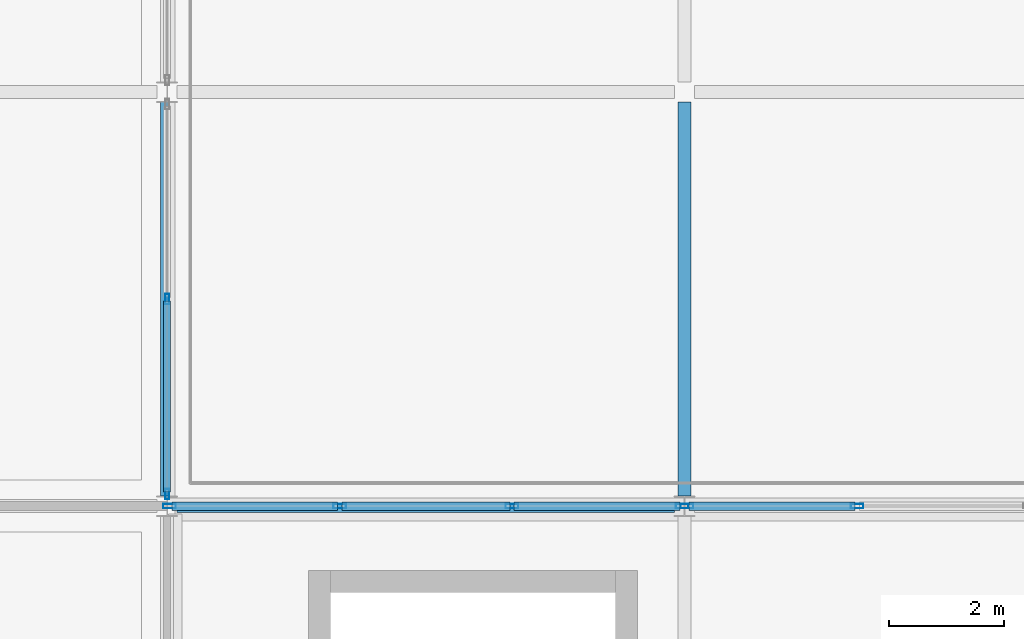
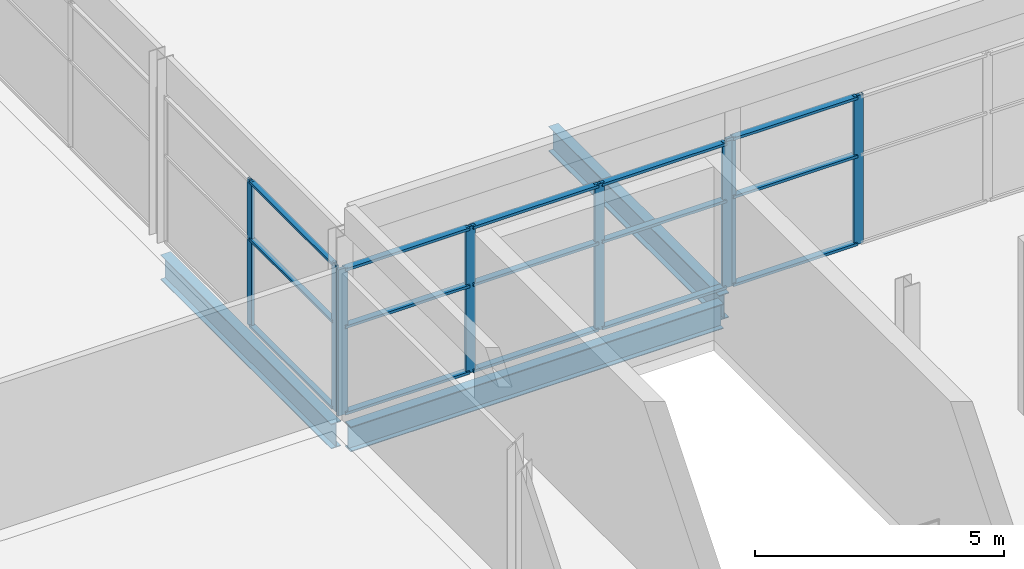
# One storey, part 34 of 78: 23 members, 3 beams, 3 elements without a shape of their own.
"""IFC4 building model written with IfcOpenShell, lengths in metres."""

from ifc_helpers import new_model, si_unit, direction, frame, origin, origin_2d, place, context, subcontext, project, spatial, hollow_rectangle, i_section, extrude, material, layer, layer_set, material_profile, profile_set, type_object, element, aggregate, save


model = new_model("IFC4")

# Units and contexts
model_context = context("Model", 3, precision=1e-05, world=origin(), true_north=direction((0.0, 1.0)))
body_context = subcontext(model_context, "Body", "Model", "MODEL_VIEW")
ifc_project = project(units=[si_unit("LENGTHUNIT", "METRE"), si_unit("AREAUNIT", "SQUARE_METRE"), si_unit("VOLUMEUNIT", "CUBIC_METRE"), si_unit("PLANEANGLEUNIT", "RADIAN"), si_unit("MASSUNIT", "GRAM", prefix="KILO")], contexts=[model_context])

# Site, building, storey
site_placement = place(None, origin())
site = spatial("IfcSite", under=ifc_project, at=site_placement, CompositionType="ELEMENT")
building_placement = place(site_placement, origin())
building = spatial("IfcBuilding", under=site, at=building_placement, Name="Celestram Park Convention Centre", CompositionType="ELEMENT")
storey_placement = place(building_placement, frame((0.0, 0.0, 19.800048828125)))
storey = spatial("IfcBuildingStorey", under=building, at=storey_placement, Name="L04", CompositionType="ELEMENT", Elevation=19.800048828125)

# Curtain wall, members
ifc_material_1 = material(Name="Anodised Aluminium Alloy 6063-T6", Category="aluminium")
ifc_layer_1 = layer(ifc_material_1, 0.179931640625)
ifc_layer_set_1 = layer_set([ifc_layer_1], Name="Anodised Aluminium Alloy 6063-T6")
curtain_wall_type_1 = type_object("IfcCurtainWallType", Name="ARC-CW-685X359", PredefinedType="NOTDEFINED", material=ifc_layer_set_1)
curtain_wall_1_placement = place(storey_placement, origin())
curtain_wall_1 = element("IfcCurtainWall", 1, at=curtain_wall_1_placement, inside=storey, type_object=curtain_wall_type_1, Name="Unitised curtain wall CU-L04-240", PredefinedType="NOTDEFINED")
ifc_material_profile_1 = material_profile(ifc_material_1, hollow_rectangle(XDim=0.06494140625, YDim=0.179931640625, WallThickness=0.00390625, at=origin_2d()), Name="ALU65X180X4")
ifc_profile_set_1 = profile_set([ifc_material_profile_1], Name="Anodised Aluminium Alloy 6063-T6")
member_type_1 = type_object("IfcMemberType", Name="ARC-CWM-150", PredefinedType="MULLION", material=ifc_profile_set_1)
member_1_placement = place(storey_placement, frame((99.0, 126.0, 0.0), z_axis=(0.0, 0.0, 1.0), x_axis=(1.0, 0.0, 0.0)))
member_1 = element("IfcMember", 2, at=member_1_placement, type_object=member_type_1, Name="CW-68X35 mullion 2", PredefinedType="MULLION", context=body_context, shape_type="SweptSolid", body=[
    extrude(hollow_rectangle(XDim=0.06494140625, YDim=0.179931640625, WallThickness=0.00390625, at=origin_2d()), origin(), (0.0, 0.0, 1.0), 3.587890625),
])
member_2_placement = place(storey_placement, frame((99.0, 122.6083984375, 0.0), z_axis=(0.0, 0.0, 1.0), x_axis=(1.0, 0.0, 0.0)))
member_2 = element("IfcMember", 3, at=member_2_placement, type_object=member_type_1, Name="CW-68X35 mullion 3", PredefinedType="MULLION", context=body_context, shape_type="SweptSolid", body=[
    extrude(hollow_rectangle(XDim=0.06494140625, YDim=0.179931640625, WallThickness=0.00390625, at=origin_2d()), origin(), (0.0, 0.0, 1.0), 3.587890625),
])

ifc_layer_2 = layer(ifc_material_1, 0.179931640625)
ifc_layer_set_2 = layer_set([ifc_layer_2], Name="Anodised Aluminium Alloy 6063-T6")
curtain_wall_type_2 = type_object("IfcCurtainWallType", Name="ARC-CW-899X359", PredefinedType="NOTDEFINED", material=ifc_layer_set_2)
curtain_wall_2_placement = place(storey_placement, origin())
curtain_wall_2 = element("IfcCurtainWall", 4, at=curtain_wall_2_placement, inside=storey, type_object=curtain_wall_type_2, Name="Unitised curtain wall CU-L04-241", PredefinedType="NOTDEFINED")
ifc_material_profile_2 = material_profile(ifc_material_1, hollow_rectangle(XDim=0.074951171875, YDim=0.219970703125, WallThickness=0.00390625, at=origin_2d()), Name="ALU75X220X4")
ifc_profile_set_2 = profile_set([ifc_material_profile_2], Name="Anodised Aluminium Alloy 6063-T6")
member_type_2 = type_object("IfcMemberType", Name="ARC-CWM-180", PredefinedType="MULLION", material=ifc_profile_set_2)
member_3_placement = place(storey_placement, frame((99.04248046875, 122.39990234375, 0.0), z_axis=(0.0, 0.0, 1.0), x_axis=(0.0, 1.0, 0.0)))
member_3 = element("IfcMember", 5, at=member_3_placement, type_object=member_type_2, Name="CW-89X35 mullion 1", PredefinedType="MULLION", context=body_context, shape_type="SweptSolid", body=[
    extrude(hollow_rectangle(XDim=0.074951171875, YDim=0.219970703125, WallThickness=0.00390625, at=origin_2d()), origin(), (0.0, 0.0, 1.0), 3.587890625),
])
member_4_placement = place(storey_placement, frame((102.001708984375, 122.39990234375, 0.0), z_axis=(0.0, 0.0, 1.0), x_axis=(0.0, 1.0, 0.0)))
member_4 = element("IfcMember", 6, at=member_4_placement, type_object=member_type_2, Name="CW-89X35 mullion 2", PredefinedType="MULLION", context=body_context, shape_type="SweptSolid", body=[
    extrude(hollow_rectangle(XDim=0.074951171875, YDim=0.219970703125, WallThickness=0.00390625, at=origin_2d()), origin(), (0.0, 0.0, 1.0), 3.587890625),
])
member_5_placement = place(storey_placement, frame((104.998291015625, 122.39990234375, 0.0), z_axis=(0.0, 0.0, 1.0), x_axis=(0.0, 1.0, 0.0)))
member_5 = element("IfcMember", 7, at=member_5_placement, type_object=member_type_2, Name="CW-89X35 mullion 3", PredefinedType="MULLION", context=body_context, shape_type="SweptSolid", body=[
    extrude(hollow_rectangle(XDim=0.074951171875, YDim=0.219970703125, WallThickness=0.00390625, at=origin_2d()), origin(), (0.0, 0.0, 1.0), 3.587890625),
])
member_6_placement = place(storey_placement, frame((107.95751953125, 122.39990234375, 0.0), z_axis=(0.0, 0.0, 1.0), x_axis=(0.0, 1.0, 0.0)))
member_6 = element("IfcMember", 8, at=member_6_placement, type_object=member_type_2, Name="CW-89X35 mullion 4", PredefinedType="MULLION", context=body_context, shape_type="SweptSolid", body=[
    extrude(hollow_rectangle(XDim=0.074951171875, YDim=0.219970703125, WallThickness=0.00390625, at=origin_2d()), origin(), (0.0, 0.0, 1.0), 3.587890625),
])

ifc_layer_3 = layer(ifc_material_1, 0.179931640625)
ifc_layer_set_3 = layer_set([ifc_layer_3], Name="Anodised Aluminium Alloy 6063-T6")
curtain_wall_type_3 = type_object("IfcCurtainWallType", Name="ARC-CW-899X365", PredefinedType="NOTDEFINED", material=ifc_layer_set_3)
curtain_wall_3_placement = place(storey_placement, origin())
curtain_wall_3 = element("IfcCurtainWall", 9, at=curtain_wall_3_placement, inside=storey, type_object=curtain_wall_type_3, Name="Unitised curtain wall CU-L04-242", PredefinedType="NOTDEFINED")
member_7_placement = place(storey_placement, frame((108.04248046875, 122.39990234375, 0.0), z_axis=(0.0, 0.0, 1.0), x_axis=(0.0, 1.0, 0.0)))
member_7 = element("IfcMember", 10, at=member_7_placement, type_object=member_type_2, Name="CW-89X36 mullion 1", PredefinedType="MULLION", context=body_context, shape_type="SweptSolid", body=[
    extrude(hollow_rectangle(XDim=0.074951171875, YDim=0.219970703125, WallThickness=0.00390625, at=origin_2d()), origin(), (0.0, 0.0, 1.0), 3.64794921875),
])
member_8_placement = place(storey_placement, frame((111.001708984375, 122.39990234375, 0.0), z_axis=(0.0, 0.0, 1.0), x_axis=(0.0, 1.0, 0.0)))
member_8 = element("IfcMember", 11, at=member_8_placement, type_object=member_type_2, Name="CW-89X36 mullion 2", PredefinedType="MULLION", context=body_context, shape_type="SweptSolid", body=[
    extrude(hollow_rectangle(XDim=0.074951171875, YDim=0.219970703125, WallThickness=0.00390625, at=origin_2d()), origin(), (0.0, 0.0, 1.0), 3.64794921875),
])

# Member
ifc_material_profile_3 = material_profile(ifc_material_1, hollow_rectangle(XDim=0.1201171875, YDim=0.06005859375, WallThickness=0.0029296875, at=origin_2d()), Name="ALU120X60X3")
ifc_profile_set_3 = profile_set([ifc_material_profile_3], Name="Anodised Aluminium Alloy 6063-T6")
member_type_3 = type_object("IfcMemberType", Name="ARC-CWT-120", PredefinedType="USERDEFINED", material=ifc_profile_set_3)
member_9_placement = place(storey_placement, frame((99.0, 125.967529296875, 0.030029296875), z_axis=(0.0, -1.0, 0.0), x_axis=(1.0, 0.0, 0.0)))
member_9 = element("IfcMember", 12, at=member_9_placement, type_object=member_type_3, Name="CW-68X35 transom 2.1", ObjectType="TRANSOM", PredefinedType="USERDEFINED", context=body_context, shape_type="SweptSolid", body=[
    extrude(hollow_rectangle(XDim=0.1201171875, YDim=0.06005859375, WallThickness=0.0029296875, at=origin_2d()), origin(), (0.0, 0.0, 1.0), 3.326416015625),
])

member_10_placement = place(storey_placement, frame((99.0, 125.967529296875, 2.15283203125), z_axis=(0.0, -1.0, 0.0), x_axis=(1.0, 0.0, 0.0)))
member_10 = element("IfcMember", 13, at=member_10_placement, type_object=member_type_3, Name="CW-68X35 transom 2.2", ObjectType="TRANSOM", PredefinedType="USERDEFINED", context=body_context, shape_type="SweptSolid", body=[
    extrude(hollow_rectangle(XDim=0.1201171875, YDim=0.06005859375, WallThickness=0.0029296875, at=origin_2d()), origin(), (0.0, 0.0, 1.0), 3.326416015625),
])

member_11_placement = place(storey_placement, frame((99.0, 125.967529296875, 3.557861328125), z_axis=(0.0, -1.0, 0.0), x_axis=(1.0, 0.0, 0.0)))
member_11 = element("IfcMember", 14, at=member_11_placement, type_object=member_type_3, Name="CW-68X35 transom 2.3", ObjectType="TRANSOM", PredefinedType="USERDEFINED", context=body_context, shape_type="SweptSolid", body=[
    extrude(hollow_rectangle(XDim=0.1201171875, YDim=0.06005859375, WallThickness=0.0029296875, at=origin_2d()), origin(), (0.0, 0.0, 1.0), 3.326416015625),
])

aggregate(curtain_wall_1, [member_1, member_2, member_9, member_10, member_11])

ifc_material_profile_4 = material_profile(ifc_material_1, hollow_rectangle(XDim=0.14990234375, YDim=0.06494140625, WallThickness=0.0029296875, at=origin_2d()), Name="ALU150X65X3")
ifc_profile_set_4 = profile_set([ifc_material_profile_4], Name="Anodised Aluminium Alloy 6063-T6")
member_type_4 = type_object("IfcMemberType", Name="ARC-CWT-150", PredefinedType="USERDEFINED", material=ifc_profile_set_4)
member_12_placement = place(storey_placement, frame((99.080078125, 122.39990234375, 0.032470703125), z_axis=(1.0, 0.0, 0.0), x_axis=(0.0, 1.0, 0.0)))
member_12 = element("IfcMember", 15, at=member_12_placement, type_object=member_type_4, Name="CW-89X35 transom 1.1", ObjectType="TRANSOM", PredefinedType="USERDEFINED", context=body_context, shape_type="SweptSolid", body=[
    extrude(hollow_rectangle(XDim=0.14990234375, YDim=0.06494140625, WallThickness=0.0029296875, at=origin_2d()), origin(), (0.0, 0.0, 1.0), 2.884033203125),
])

member_13_placement = place(storey_placement, frame((99.080078125, 122.39990234375, 2.15283203125), z_axis=(1.0, 0.0, 0.0), x_axis=(0.0, 1.0, 0.0)))
member_13 = element("IfcMember", 16, at=member_13_placement, type_object=member_type_4, Name="CW-89X35 transom 1.2", ObjectType="TRANSOM", PredefinedType="USERDEFINED", context=body_context, shape_type="SweptSolid", body=[
    extrude(hollow_rectangle(XDim=0.14990234375, YDim=0.06494140625, WallThickness=0.0029296875, at=origin_2d()), origin(), (0.0, 0.0, 1.0), 2.884033203125),
])

member_14_placement = place(storey_placement, frame((99.080078125, 122.39990234375, 3.555419921875), z_axis=(1.0, 0.0, 0.0), x_axis=(0.0, 1.0, 0.0)))
member_14 = element("IfcMember", 17, at=member_14_placement, type_object=member_type_4, Name="CW-89X35 transom 1.3", ObjectType="TRANSOM", PredefinedType="USERDEFINED", context=body_context, shape_type="SweptSolid", body=[
    extrude(hollow_rectangle(XDim=0.14990234375, YDim=0.06494140625, WallThickness=0.0029296875, at=origin_2d()), origin(), (0.0, 0.0, 1.0), 2.884033203125),
])

member_15_placement = place(storey_placement, frame((102.0390625, 122.39990234375, 0.032470703125), z_axis=(1.0, 0.0, 0.0), x_axis=(0.0, 1.0, 0.0)))
member_15 = element("IfcMember", 18, at=member_15_placement, type_object=member_type_4, Name="CW-89X35 transom 2.1", ObjectType="TRANSOM", PredefinedType="USERDEFINED", context=body_context, shape_type="SweptSolid", body=[
    extrude(hollow_rectangle(XDim=0.14990234375, YDim=0.06494140625, WallThickness=0.0029296875, at=origin_2d()), origin(), (0.0, 0.0, 1.0), 2.921875),
])

member_16_placement = place(storey_placement, frame((102.0390625, 122.39990234375, 2.15283203125), z_axis=(1.0, 0.0, 0.0), x_axis=(0.0, 1.0, 0.0)))
member_16 = element("IfcMember", 19, at=member_16_placement, type_object=member_type_4, Name="CW-89X35 transom 2.2", ObjectType="TRANSOM", PredefinedType="USERDEFINED", context=body_context, shape_type="SweptSolid", body=[
    extrude(hollow_rectangle(XDim=0.14990234375, YDim=0.06494140625, WallThickness=0.0029296875, at=origin_2d()), origin(), (0.0, 0.0, 1.0), 2.921875),
])

member_17_placement = place(storey_placement, frame((102.0390625, 122.39990234375, 3.555419921875), z_axis=(1.0, 0.0, 0.0), x_axis=(0.0, 1.0, 0.0)))
member_17 = element("IfcMember", 20, at=member_17_placement, type_object=member_type_4, Name="CW-89X35 transom 2.3", ObjectType="TRANSOM", PredefinedType="USERDEFINED", context=body_context, shape_type="SweptSolid", body=[
    extrude(hollow_rectangle(XDim=0.14990234375, YDim=0.06494140625, WallThickness=0.0029296875, at=origin_2d()), origin(), (0.0, 0.0, 1.0), 2.921875),
])

member_18_placement = place(storey_placement, frame((105.035888671875, 122.39990234375, 0.032470703125), z_axis=(1.0, 0.0, 0.0), x_axis=(0.0, 1.0, 0.0)))
member_18 = element("IfcMember", 21, at=member_18_placement, type_object=member_type_4, Name="CW-89X35 transom 3.1", ObjectType="TRANSOM", PredefinedType="USERDEFINED", context=body_context, shape_type="SweptSolid", body=[
    extrude(hollow_rectangle(XDim=0.14990234375, YDim=0.06494140625, WallThickness=0.0029296875, at=origin_2d()), origin(), (0.0, 0.0, 1.0), 2.884033203125),
])

member_19_placement = place(storey_placement, frame((105.035888671875, 122.39990234375, 2.15283203125), z_axis=(1.0, 0.0, 0.0), x_axis=(0.0, 1.0, 0.0)))
member_19 = element("IfcMember", 22, at=member_19_placement, type_object=member_type_4, Name="CW-89X35 transom 3.2", ObjectType="TRANSOM", PredefinedType="USERDEFINED", context=body_context, shape_type="SweptSolid", body=[
    extrude(hollow_rectangle(XDim=0.14990234375, YDim=0.06494140625, WallThickness=0.0029296875, at=origin_2d()), origin(), (0.0, 0.0, 1.0), 2.884033203125),
])

member_20_placement = place(storey_placement, frame((105.035888671875, 122.39990234375, 3.555419921875), z_axis=(1.0, 0.0, 0.0), x_axis=(0.0, 1.0, 0.0)))
member_20 = element("IfcMember", 23, at=member_20_placement, type_object=member_type_4, Name="CW-89X35 transom 3.3", ObjectType="TRANSOM", PredefinedType="USERDEFINED", context=body_context, shape_type="SweptSolid", body=[
    extrude(hollow_rectangle(XDim=0.14990234375, YDim=0.06494140625, WallThickness=0.0029296875, at=origin_2d()), origin(), (0.0, 0.0, 1.0), 2.884033203125),
])

aggregate(curtain_wall_2, [member_3, member_4, member_5, member_6, member_12, member_13, member_14, member_15, member_16, member_17, member_18, member_19, member_20])

member_21_placement = place(storey_placement, frame((108.080078125, 122.39990234375, 0.032470703125), z_axis=(1.0, 0.0, 0.0), x_axis=(0.0, 1.0, 0.0)))
member_21 = element("IfcMember", 24, at=member_21_placement, type_object=member_type_4, Name="CW-89X36 transom 1.1", ObjectType="TRANSOM", PredefinedType="USERDEFINED", context=body_context, shape_type="SweptSolid", body=[
    extrude(hollow_rectangle(XDim=0.14990234375, YDim=0.06494140625, WallThickness=0.0029296875, at=origin_2d()), origin(), (0.0, 0.0, 1.0), 2.884033203125),
])

member_22_placement = place(storey_placement, frame((108.080078125, 122.39990234375, 2.18896484375), z_axis=(1.0, 0.0, 0.0), x_axis=(0.0, 1.0, 0.0)))
member_22 = element("IfcMember", 25, at=member_22_placement, type_object=member_type_4, Name="CW-89X36 transom 1.2", ObjectType="TRANSOM", PredefinedType="USERDEFINED", context=body_context, shape_type="SweptSolid", body=[
    extrude(hollow_rectangle(XDim=0.14990234375, YDim=0.06494140625, WallThickness=0.0029296875, at=origin_2d()), origin(), (0.0, 0.0, 1.0), 2.884033203125),
])

member_23_placement = place(storey_placement, frame((108.080078125, 122.39990234375, 3.615478515625), z_axis=(1.0, 0.0, 0.0), x_axis=(0.0, 1.0, 0.0)))
member_23 = element("IfcMember", 26, at=member_23_placement, type_object=member_type_4, Name="CW-89X36 transom 1.3", ObjectType="TRANSOM", PredefinedType="USERDEFINED", context=body_context, shape_type="SweptSolid", body=[
    extrude(hollow_rectangle(XDim=0.14990234375, YDim=0.06494140625, WallThickness=0.0029296875, at=origin_2d()), origin(), (0.0, 0.0, 1.0), 2.884033203125),
])

aggregate(curtain_wall_3, [member_7, member_8, member_21, member_22, member_23])

# Beams
ifc_material_2 = material(Name="Steel ASTM A992 Grade 50", Category="steel")
ifc_material_profile_5 = material_profile(ifc_material_2, i_section(OverallWidth=0.22900390625, OverallDepth=0.612060546875, WebThickness=0.011962890625, FlangeThickness=0.01953125, at=origin_2d()), Name="W24X84")
ifc_profile_set_5 = profile_set([ifc_material_profile_5], Name="Steel ASTM A992 Grade 50")
beam_type = type_object("IfcBeamType", Name="STR-BM-W24X84", PredefinedType="BEAM", material=ifc_profile_set_5)
beam_placement = place(storey_placement, frame((99.173095703125, 122.39990234375, -0.60595703125), z_axis=(1.0, 0.0, 0.0), x_axis=(0.0, 1.0, 0.0)))
element("IfcBeam", 27, at=beam_placement, inside=storey, type_object=beam_type, Name="Primary X-girder BG-L04-0104", PredefinedType="BEAM", context=body_context, shape_type="SweptSolid", body=[
    extrude(i_section(OverallWidth=0.22900390625, OverallDepth=0.612060546875, WebThickness=0.011962890625, FlangeThickness=0.01953125, at=origin_2d()), origin(), (0.0, 0.0, 1.0), 8.65380859375),
])
for number, where, z_axis, x_axis, name in (
    (28, (99.0, 122.572998046875, -0.60595703125), (0.0, 1.0, 0.0), (-1.0, 0.0, 0.0), "Primary Y-girder BG-L04-0105"),
    (29, (108.0, 122.572998046875, -0.60595703125), (0.0, 1.0, 0.0), (-1.0, 0.0, 0.0), "Primary Y-girder BG-L04-0121"),
):
    element("IfcBeam", number, at=place(storey_placement, frame(where, z_axis=z_axis, x_axis=x_axis)), inside=storey, type_object=beam_type, Name=name, PredefinedType="BEAM", context=body_context, shape_type="SweptSolid", body=[
        extrude(i_section(OverallWidth=0.22900390625, OverallDepth=0.612060546875, WebThickness=0.011962890625, FlangeThickness=0.01953125, at=origin_2d()), origin(), (0.0, 0.0, 1.0), 6.85400390625),
    ])

save(model, "model.ifc")
